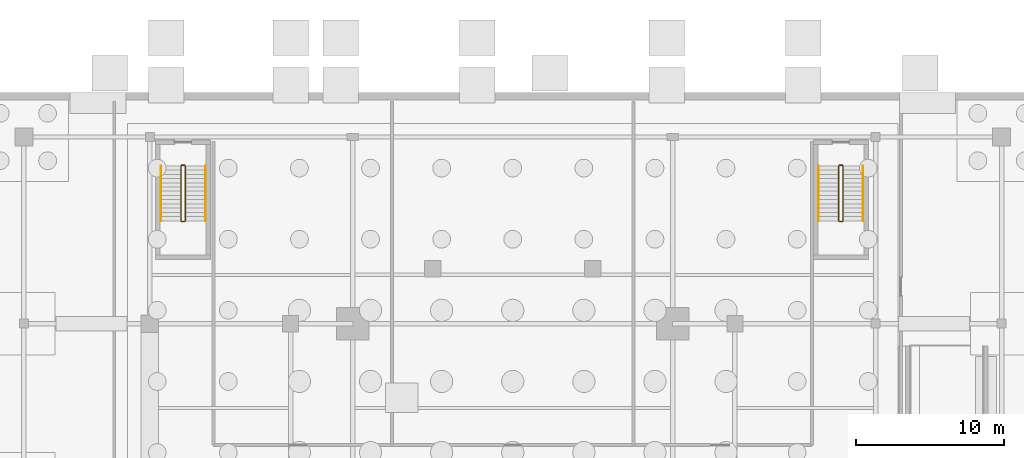
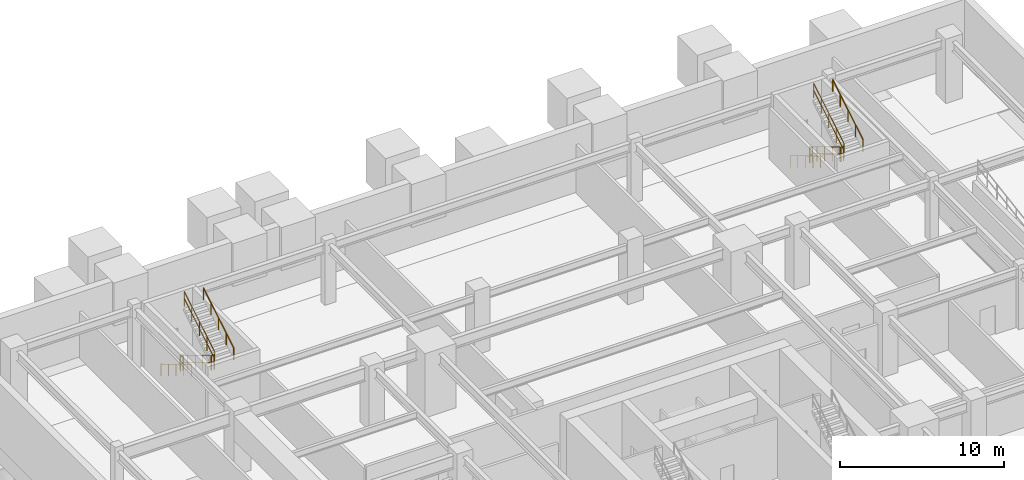
# One storey, part 7 of 9: 12 railings.
"""IFC4 building model written with IfcOpenShell, lengths in metres."""

from ifc_helpers import new_model, si_unit, direction, frame, origin, origin_2d, place, context, subcontext, project, spatial, circle, extrude, material, layer, layer_set, type_object, element, save


model = new_model("IFC4")

# Units and contexts
model_context = context("Model", 3, precision=1e-05, world=origin(), true_north=direction((0.0, 1.0)))
body_context = subcontext(model_context, "Body", "Model", "MODEL_VIEW")
ifc_project = project(units=[si_unit("LENGTHUNIT", "METRE"), si_unit("AREAUNIT", "SQUARE_METRE"), si_unit("VOLUMEUNIT", "CUBIC_METRE"), si_unit("PLANEANGLEUNIT", "RADIAN"), si_unit("MASSUNIT", "GRAM", prefix="KILO")], contexts=[model_context])

# Site, building, storey
site_placement = place(None, origin())
site = spatial("IfcSite", under=ifc_project, at=site_placement, CompositionType="ELEMENT")
building_placement = place(site_placement, origin())
building = spatial("IfcBuilding", under=site, at=building_placement, Name="Krantzveldt Concourse Tower", CompositionType="ELEMENT")
storey_placement = place(building_placement, frame((0.0, 0.0, -4.800048828125)))
storey = spatial("IfcBuildingStorey", under=building, at=storey_placement, Name="B1", CompositionType="ELEMENT", Elevation=-4.800048828125)

# Railings
ifc_material = material(Name="Stainless steel 316L", Category="steel")
ifc_layer_1 = layer(ifc_material, 0.06005859375, Name="Stainless steel 316L", Category="steel")
ifc_layer_set_1 = layer_set([ifc_layer_1], Name="Stainless steel 316L (RL-GUARD-1120)")
railing_type_1 = type_object("IfcRailingType", Name="RL-GUARD-1120", PredefinedType="GUARDRAIL", material=ifc_layer_set_1)
railing_1_placement = place(storey_placement, frame((13.60009765625, 48.14990234375, 0.17138671875)))
element("IfcRailing", 1, at=railing_1_placement, inside=storey, type_object=railing_type_1, Name="B1 ST-3 stair guard 1", PredefinedType="GUARDRAIL", context=body_context, shape_type="SweptSolid", body=[
    extrude(circle(Radius=0.02392578125, at=origin_2d()), frame((0.0, 0.0, 1.076171875), z_axis=(0.0, -0.856894455432, 0.515491893485), x_axis=(1.0, 0.0, 0.0)), (0.0, 0.0, 1.0), 4.323486328125),
    extrude(circle(Radius=0.02392578125, at=origin_2d()), frame((0.0, 0.0, 0.550048828125), z_axis=(0.0, -0.856894455432, 0.515491893485), x_axis=(1.0, 0.0, 0.0)), (0.0, 0.0, 1.0), 4.323486328125),
    extrude(circle(Radius=0.02099609375, at=origin_2d()), origin(), (0.0, 0.0, 1.0), 1.052001953125),
    extrude(circle(Radius=0.02099609375, at=origin_2d()), frame((0.0, -0.92626953125, 0.55712890625)), (0.0, 0.0, 1.0), 1.052001953125),
    extrude(circle(Radius=0.02099609375, at=origin_2d()), frame((0.0, -1.8525390625, 1.1142578125)), (0.0, 0.0, 1.0), 1.052001953125),
    extrude(circle(Radius=0.02099609375, at=origin_2d()), frame((0.0, -2.778564453125, 1.671630859375)), (0.0, 0.0, 1.0), 1.052001953125),
    extrude(circle(Radius=0.02099609375, at=origin_2d()), frame((0.0, -3.704833984375, 2.228759765625)), (0.0, 0.0, 1.0), 1.052001953125),
])
railing_2_placement = place(storey_placement, frame((13.64990234375, 44.39501953125, 2.400146484375)))
element("IfcRailing", 2, at=railing_2_placement, inside=storey, type_object=railing_type_1, Name="B1 ST-3 stair guard 2", PredefinedType="GUARDRAIL", context=body_context, shape_type="SweptSolid", body=[
    extrude(circle(Radius=0.02392578125, at=origin_2d()), frame((0.0, 0.0, 1.076171875), z_axis=(1.0, 0.0, 0.0), x_axis=(0.0, 1.0, 0.0)), (0.0, 0.0, 1.0), 0.2001953125),
    extrude(circle(Radius=0.02392578125, at=origin_2d()), frame((0.0, 0.0, 0.550048828125), z_axis=(1.0, 0.0, 0.0), x_axis=(0.0, 1.0, 0.0)), (0.0, 0.0, 1.0), 0.2001953125),
    extrude(circle(Radius=0.02099609375, at=origin_2d()), origin(), (0.0, 0.0, 1.0), 1.052001953125),
    extrude(circle(Radius=0.02099609375, at=origin_2d()), frame((0.2001953125, 0.0, 0.0)), (0.0, 0.0, 1.0), 1.052001953125),
])
railing_3_placement = place(storey_placement, frame((13.89990234375, 44.445068359375, 2.571533203125)))
element("IfcRailing", 3, at=railing_3_placement, inside=storey, type_object=railing_type_1, Name="B1 ST-3 stair guard 3", PredefinedType="GUARDRAIL", context=body_context, shape_type="SweptSolid", body=[
    extrude(circle(Radius=0.02392578125, at=origin_2d()), frame((0.0, 0.0, 1.076171875), z_axis=(0.0, 0.856919398105, 0.515450429384), x_axis=(-1.0, 0.0, 0.0)), (0.0, 0.0, 1.0), 4.323486328125),
    extrude(circle(Radius=0.02392578125, at=origin_2d()), frame((0.0, 0.0, 0.550048828125), z_axis=(0.0, 0.856919398105, 0.515450429384), x_axis=(-1.0, 0.0, 0.0)), (0.0, 0.0, 1.0), 4.323486328125),
    extrude(circle(Radius=0.02099609375, at=origin_2d()), origin(), (0.0, 0.0, 1.0), 1.052001953125),
    extrude(circle(Radius=0.02099609375, at=origin_2d()), frame((0.0, 0.92626953125, 0.55712890625)), (0.0, 0.0, 1.0), 1.052001953125),
    extrude(circle(Radius=0.02099609375, at=origin_2d()), frame((0.0, 1.8525390625, 1.1142578125)), (0.0, 0.0, 1.0), 1.052001953125),
    extrude(circle(Radius=0.02099609375, at=origin_2d()), frame((0.0, 2.778564453125, 1.67138671875)), (0.0, 0.0, 1.0), 1.052001953125),
    extrude(circle(Radius=0.02099609375, at=origin_2d()), frame((0.0, 3.704833984375, 2.228515625)), (0.0, 0.0, 1.0), 1.052001953125),
])
railing_4_placement = place(storey_placement, frame((13.64990234375, 48.199951171875, 0.0)))
element("IfcRailing", 4, at=railing_4_placement, inside=storey, type_object=railing_type_1, Name="B1 ST-3 stair guard 4", PredefinedType="GUARDRAIL", context=body_context, shape_type="SweptSolid", body=[
    extrude(circle(Radius=0.02392578125, at=origin_2d()), frame((0.0, 0.0, 1.076171875), z_axis=(1.0, 0.0, 0.0), x_axis=(0.0, 1.0, 0.0)), (0.0, 0.0, 1.0), 0.2001953125),
    extrude(circle(Radius=0.02392578125, at=origin_2d()), frame((0.0, 0.0, 0.550048828125), z_axis=(1.0, 0.0, 0.0), x_axis=(0.0, 1.0, 0.0)), (0.0, 0.0, 1.0), 0.2001953125),
    extrude(circle(Radius=0.02099609375, at=origin_2d()), origin(), (0.0, 0.0, 1.0), 1.052001953125),
    extrude(circle(Radius=0.02099609375, at=origin_2d()), frame((0.2001953125, 0.0, 0.0)), (0.0, 0.0, 1.0), 1.052001953125),
])
railing_5_placement = place(storey_placement, frame((58.0, 48.14990234375, 0.17138671875)))
element("IfcRailing", 5, at=railing_5_placement, inside=storey, type_object=railing_type_1, Name="B1 ST-4 stair guard 1", PredefinedType="GUARDRAIL", context=body_context, shape_type="SweptSolid", body=[
    extrude(circle(Radius=0.02392578125, at=origin_2d()), frame((0.0, 0.0, 1.076171875), z_axis=(0.0, -0.856894455432, 0.515491893485), x_axis=(1.0, 0.0, 0.0)), (0.0, 0.0, 1.0), 4.323486328125),
    extrude(circle(Radius=0.02392578125, at=origin_2d()), frame((0.0, 0.0, 0.550048828125), z_axis=(0.0, -0.856894455432, 0.515491893485), x_axis=(1.0, 0.0, 0.0)), (0.0, 0.0, 1.0), 4.323486328125),
    extrude(circle(Radius=0.02099609375, at=origin_2d()), origin(), (0.0, 0.0, 1.0), 1.052001953125),
    extrude(circle(Radius=0.02099609375, at=origin_2d()), frame((0.0, -0.92626953125, 0.55712890625)), (0.0, 0.0, 1.0), 1.052001953125),
    extrude(circle(Radius=0.02099609375, at=origin_2d()), frame((0.0, -1.8525390625, 1.1142578125)), (0.0, 0.0, 1.0), 1.052001953125),
    extrude(circle(Radius=0.02099609375, at=origin_2d()), frame((0.0, -2.778564453125, 1.671630859375)), (0.0, 0.0, 1.0), 1.052001953125),
    extrude(circle(Radius=0.02099609375, at=origin_2d()), frame((0.0, -3.704833984375, 2.228759765625)), (0.0, 0.0, 1.0), 1.052001953125),
])
railing_6_placement = place(storey_placement, frame((58.050048828125, 44.39501953125, 2.400146484375)))
element("IfcRailing", 6, at=railing_6_placement, inside=storey, type_object=railing_type_1, Name="B1 ST-4 stair guard 2", PredefinedType="GUARDRAIL", context=body_context, shape_type="SweptSolid", body=[
    extrude(circle(Radius=0.02392578125, at=origin_2d()), frame((0.0, 0.0, 1.076171875), z_axis=(1.0, 0.0, 0.0), x_axis=(0.0, 1.0, 0.0)), (0.0, 0.0, 1.0), 0.199951171875),
    extrude(circle(Radius=0.02392578125, at=origin_2d()), frame((0.0, 0.0, 0.550048828125), z_axis=(1.0, 0.0, 0.0), x_axis=(0.0, 1.0, 0.0)), (0.0, 0.0, 1.0), 0.199951171875),
    extrude(circle(Radius=0.02099609375, at=origin_2d()), origin(), (0.0, 0.0, 1.0), 1.052001953125),
    extrude(circle(Radius=0.02099609375, at=origin_2d()), frame((0.199951171875, 0.0, 0.0)), (0.0, 0.0, 1.0), 1.052001953125),
])
railing_7_placement = place(storey_placement, frame((58.300048828125, 44.445068359375, 2.571533203125)))
element("IfcRailing", 7, at=railing_7_placement, inside=storey, type_object=railing_type_1, Name="B1 ST-4 stair guard 3", PredefinedType="GUARDRAIL", context=body_context, shape_type="SweptSolid", body=[
    extrude(circle(Radius=0.02392578125, at=origin_2d()), frame((0.0, 0.0, 1.076171875), z_axis=(0.0, 0.856919398105, 0.515450429384), x_axis=(-1.0, 0.0, 0.0)), (0.0, 0.0, 1.0), 4.323486328125),
    extrude(circle(Radius=0.02392578125, at=origin_2d()), frame((0.0, 0.0, 0.550048828125), z_axis=(0.0, 0.856919398105, 0.515450429384), x_axis=(-1.0, 0.0, 0.0)), (0.0, 0.0, 1.0), 4.323486328125),
    extrude(circle(Radius=0.02099609375, at=origin_2d()), origin(), (0.0, 0.0, 1.0), 1.052001953125),
    extrude(circle(Radius=0.02099609375, at=origin_2d()), frame((0.0, 0.92626953125, 0.55712890625)), (0.0, 0.0, 1.0), 1.052001953125),
    extrude(circle(Radius=0.02099609375, at=origin_2d()), frame((0.0, 1.8525390625, 1.1142578125)), (0.0, 0.0, 1.0), 1.052001953125),
    extrude(circle(Radius=0.02099609375, at=origin_2d()), frame((0.0, 2.778564453125, 1.67138671875)), (0.0, 0.0, 1.0), 1.052001953125),
    extrude(circle(Radius=0.02099609375, at=origin_2d()), frame((0.0, 3.704833984375, 2.228515625)), (0.0, 0.0, 1.0), 1.052001953125),
])
railing_8_placement = place(storey_placement, frame((58.050048828125, 48.199951171875, 0.0)))
element("IfcRailing", 8, at=railing_8_placement, inside=storey, type_object=railing_type_1, Name="B1 ST-4 stair guard 4", PredefinedType="GUARDRAIL", context=body_context, shape_type="SweptSolid", body=[
    extrude(circle(Radius=0.02392578125, at=origin_2d()), frame((0.0, 0.0, 1.076171875), z_axis=(1.0, 0.0, 0.0), x_axis=(0.0, 1.0, 0.0)), (0.0, 0.0, 1.0), 0.199951171875),
    extrude(circle(Radius=0.02392578125, at=origin_2d()), frame((0.0, 0.0, 0.550048828125), z_axis=(1.0, 0.0, 0.0), x_axis=(0.0, 1.0, 0.0)), (0.0, 0.0, 1.0), 0.199951171875),
    extrude(circle(Radius=0.02099609375, at=origin_2d()), origin(), (0.0, 0.0, 1.0), 1.052001953125),
    extrude(circle(Radius=0.02099609375, at=origin_2d()), frame((0.199951171875, 0.0, 0.0)), (0.0, 0.0, 1.0), 1.052001953125),
])
ifc_layer_2 = layer(ifc_material, 0.050048828125, Name="Stainless steel 316L", Category="steel")
ifc_layer_set_2 = layer_set([ifc_layer_2], Name="Stainless steel 316L (RL-HANDRAIL-920)")
railing_type_2 = type_object("IfcRailingType", Name="RL-HANDRAIL-920", PredefinedType="HANDRAIL", material=ifc_layer_set_2)
railing_9_placement = place(storey_placement, frame((12.25, 48.14990234375, 0.17138671875)))
element("IfcRailing", 9, at=railing_9_placement, inside=storey, type_object=railing_type_2, Name="B1 ST-3 stair handrail 1", PredefinedType="HANDRAIL", context=body_context, shape_type="SweptSolid", body=[
    extrude(circle(Radius=0.02392578125, at=origin_2d()), frame((0.0, 0.0, 0.8759765625), z_axis=(0.0, -0.856894455432, 0.515491893485), x_axis=(1.0, 0.0, 0.0)), (0.0, 0.0, 1.0), 4.323486328125),
    extrude(circle(Radius=0.02099609375, at=origin_2d()), origin(), (0.0, 0.0, 1.0), 0.851806640625),
    extrude(circle(Radius=0.02099609375, at=origin_2d()), frame((0.0, -0.92626953125, 0.55712890625)), (0.0, 0.0, 1.0), 0.851806640625),
    extrude(circle(Radius=0.02099609375, at=origin_2d()), frame((0.0, -1.8525390625, 1.1142578125)), (0.0, 0.0, 1.0), 0.851806640625),
    extrude(circle(Radius=0.02099609375, at=origin_2d()), frame((0.0, -2.778564453125, 1.671630859375)), (0.0, 0.0, 1.0), 0.851806640625),
    extrude(circle(Radius=0.02099609375, at=origin_2d()), frame((0.0, -3.704833984375, 2.228759765625)), (0.0, 0.0, 1.0), 0.851806640625),
])
railing_10_placement = place(storey_placement, frame((15.25, 44.445068359375, 2.571533203125)))
element("IfcRailing", 10, at=railing_10_placement, inside=storey, type_object=railing_type_2, Name="B1 ST-3 stair handrail 2", PredefinedType="HANDRAIL", context=body_context, shape_type="SweptSolid", body=[
    extrude(circle(Radius=0.02392578125, at=origin_2d()), frame((0.0, 0.0, 0.8759765625), z_axis=(0.0, 0.856919398105, 0.515450429384), x_axis=(-1.0, 0.0, 0.0)), (0.0, 0.0, 1.0), 4.323486328125),
    extrude(circle(Radius=0.02099609375, at=origin_2d()), origin(), (0.0, 0.0, 1.0), 0.851806640625),
    extrude(circle(Radius=0.02099609375, at=origin_2d()), frame((0.0, 0.92626953125, 0.55712890625)), (0.0, 0.0, 1.0), 0.851806640625),
    extrude(circle(Radius=0.02099609375, at=origin_2d()), frame((0.0, 1.8525390625, 1.1142578125)), (0.0, 0.0, 1.0), 0.851806640625),
    extrude(circle(Radius=0.02099609375, at=origin_2d()), frame((0.0, 2.778564453125, 1.67138671875)), (0.0, 0.0, 1.0), 0.851806640625),
    extrude(circle(Radius=0.02099609375, at=origin_2d()), frame((0.0, 3.704833984375, 2.228515625)), (0.0, 0.0, 1.0), 0.851806640625),
])
railing_11_placement = place(storey_placement, frame((56.64990234375, 48.14990234375, 0.17138671875)))
element("IfcRailing", 11, at=railing_11_placement, inside=storey, type_object=railing_type_2, Name="B1 ST-4 stair handrail 1", PredefinedType="HANDRAIL", context=body_context, shape_type="SweptSolid", body=[
    extrude(circle(Radius=0.02392578125, at=origin_2d()), frame((0.0, 0.0, 0.8759765625), z_axis=(0.0, -0.856894455432, 0.515491893485), x_axis=(1.0, 0.0, 0.0)), (0.0, 0.0, 1.0), 4.323486328125),
    extrude(circle(Radius=0.02099609375, at=origin_2d()), origin(), (0.0, 0.0, 1.0), 0.851806640625),
    extrude(circle(Radius=0.02099609375, at=origin_2d()), frame((0.0, -0.92626953125, 0.55712890625)), (0.0, 0.0, 1.0), 0.851806640625),
    extrude(circle(Radius=0.02099609375, at=origin_2d()), frame((0.0, -1.8525390625, 1.1142578125)), (0.0, 0.0, 1.0), 0.851806640625),
    extrude(circle(Radius=0.02099609375, at=origin_2d()), frame((0.0, -2.778564453125, 1.671630859375)), (0.0, 0.0, 1.0), 0.851806640625),
    extrude(circle(Radius=0.02099609375, at=origin_2d()), frame((0.0, -3.704833984375, 2.228759765625)), (0.0, 0.0, 1.0), 0.851806640625),
])
railing_12_placement = place(storey_placement, frame((59.64990234375, 44.445068359375, 2.571533203125)))
element("IfcRailing", 12, at=railing_12_placement, inside=storey, type_object=railing_type_2, Name="B1 ST-4 stair handrail 2", PredefinedType="HANDRAIL", context=body_context, shape_type="SweptSolid", body=[
    extrude(circle(Radius=0.02392578125, at=origin_2d()), frame((0.0, 0.0, 0.8759765625), z_axis=(0.0, 0.856919398105, 0.515450429384), x_axis=(-1.0, 0.0, 0.0)), (0.0, 0.0, 1.0), 4.323486328125),
    extrude(circle(Radius=0.02099609375, at=origin_2d()), origin(), (0.0, 0.0, 1.0), 0.851806640625),
    extrude(circle(Radius=0.02099609375, at=origin_2d()), frame((0.0, 0.92626953125, 0.55712890625)), (0.0, 0.0, 1.0), 0.851806640625),
    extrude(circle(Radius=0.02099609375, at=origin_2d()), frame((0.0, 1.8525390625, 1.1142578125)), (0.0, 0.0, 1.0), 0.851806640625),
    extrude(circle(Radius=0.02099609375, at=origin_2d()), frame((0.0, 2.778564453125, 1.67138671875)), (0.0, 0.0, 1.0), 0.851806640625),
    extrude(circle(Radius=0.02099609375, at=origin_2d()), frame((0.0, 3.704833984375, 2.228515625)), (0.0, 0.0, 1.0), 0.851806640625),
])

save(model, "model.ifc")
